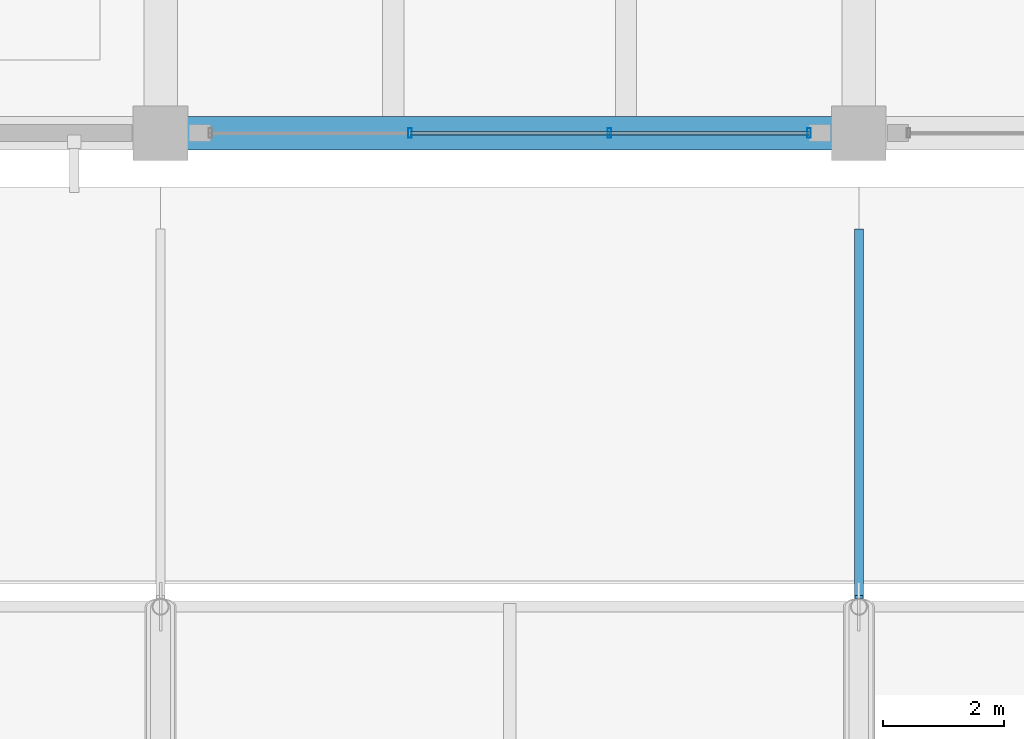
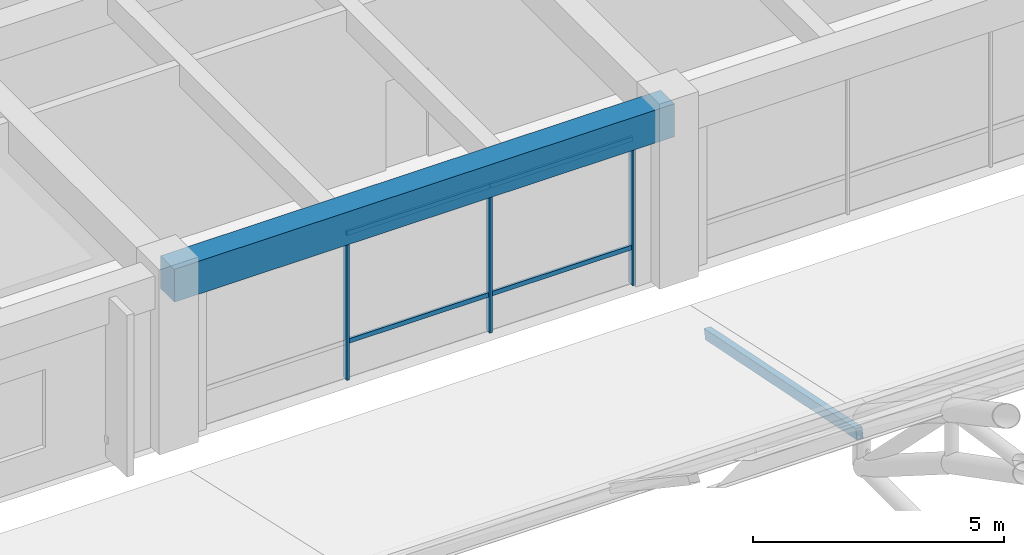
# One storey, part 112 of 154: 8 members, 1 beam, 1 element without a shape of its own.
"""IFC4 building model written with IfcOpenShell, lengths in metres."""

from ifc_helpers import new_model, si_unit, direction, frame, origin, origin_2d, place, context, subcontext, project, spatial, rectangle, hollow_rectangle, extrude, material, material_profile, profile_set, type_object, element, aggregate, save


model = new_model("IFC4")

# Units and contexts
model_context = context("Model", 3, precision=1e-05, world=origin(), true_north=direction((0.0, 1.0)))
body_context = subcontext(model_context, "Body", "Model", "MODEL_VIEW")
ifc_project = project(units=[si_unit("LENGTHUNIT", "METRE"), si_unit("AREAUNIT", "SQUARE_METRE"), si_unit("VOLUMEUNIT", "CUBIC_METRE"), si_unit("PLANEANGLEUNIT", "RADIAN"), si_unit("MASSUNIT", "GRAM", prefix="KILO")], contexts=[model_context])

# Site, building, storey
site_placement = place(None, origin())
site = spatial("IfcSite", under=ifc_project, at=site_placement, CompositionType="ELEMENT")
building_placement = place(site_placement, origin())
building = spatial("IfcBuilding", under=site, at=building_placement, Name="Ologun Quay Terminus", CompositionType="ELEMENT")
storey_placement = place(building_placement, frame((0.0, 0.0, 13.800048828125)))
storey = spatial("IfcBuildingStorey", under=building, at=storey_placement, Name="L03", CompositionType="ELEMENT", Elevation=13.800048828125)

# Curtain wall, members
ifc_material_1 = material(Name="Aluminium 6063-T6", Category="aluminium")
curtain_wall_type = type_object("IfcCurtainWallType", Name="Waterfront Pavilion Harbour Curtain Wall L03 10600x4150", PredefinedType="USERDEFINED", material=ifc_material_1)
curtain_wall_placement = place(storey_placement, origin())
curtain_wall = element("IfcCurtainWall", 1, at=curtain_wall_placement, inside=storey, type_object=curtain_wall_type, Name="CW-25 Curtain Wall CW-L03-138", ObjectType="UNITISED CURTAIN WALL", PredefinedType="USERDEFINED")
ifc_material_2 = material(Name="Aluminium 6063-T6", Category="aluminium")
ifc_material_profile_1 = material_profile(ifc_material_2, hollow_rectangle(XDim=0.06005859375, YDim=0.159912109375, WallThickness=0.00390625, at=origin_2d()), Name="ALU 160x60x4")
ifc_profile_set_1 = profile_set([ifc_material_profile_1], Name="Aluminium 6063-T6")
member_type_1 = type_object("IfcMemberType", Name="Courtyard Screen Mullion 160x65", PredefinedType="MULLION", material=ifc_profile_set_1)
member_1_placement = place(storey_placement, frame((130.606689453125, 85.800048828125, 0.0), z_axis=(0.0, 0.0, 1.0), x_axis=(1.0, 0.0, 0.0)))
member_1 = element("IfcMember", 2, at=member_1_placement, type_object=member_type_1, Name="CW-L03-138 Mullion 2", PredefinedType="MULLION", context=body_context, shape_type="SweptSolid", body=[
    extrude(hollow_rectangle(XDim=0.06005859375, YDim=0.159912109375, WallThickness=0.00390625, at=origin_2d()), origin(), (0.0, 0.0, 1.0), 4.22998046875),
])
member_2_placement = place(storey_placement, frame((133.893310546875, 85.800048828125, 0.0), z_axis=(0.0, 0.0, 1.0), x_axis=(1.0, 0.0, 0.0)))
member_2 = element("IfcMember", 3, at=member_2_placement, type_object=member_type_1, Name="CW-L03-138 Mullion 3", PredefinedType="MULLION", context=body_context, shape_type="SweptSolid", body=[
    extrude(hollow_rectangle(XDim=0.06005859375, YDim=0.159912109375, WallThickness=0.00390625, at=origin_2d()), origin(), (0.0, 0.0, 1.0), 4.22998046875),
])
member_3_placement = place(storey_placement, frame((137.179931640625, 85.800048828125, 0.0), z_axis=(0.0, 0.0, 1.0), x_axis=(1.0, 0.0, 0.0)))
member_3 = element("IfcMember", 4, at=member_3_placement, type_object=member_type_1, Name="CW-L03-138 Mullion 4", PredefinedType="MULLION", context=body_context, shape_type="SweptSolid", body=[
    extrude(hollow_rectangle(XDim=0.06005859375, YDim=0.159912109375, WallThickness=0.00390625, at=origin_2d()), origin(), (0.0, 0.0, 1.0), 4.22998046875),
])
ifc_material_3 = material(Name="Aluminium 6063-T6", Category="aluminium")
ifc_material_profile_2 = material_profile(ifc_material_3, hollow_rectangle(XDim=0.054931640625, YDim=0.110107421875, WallThickness=0.00390625, at=origin_2d()), Name="ALU 110x55x4")
ifc_profile_set_2 = profile_set([ifc_material_profile_2], Name="Aluminium 6063-T6")
member_type_2 = type_object("IfcMemberType", Name="Courtyard Screen Transom 110x55", PredefinedType="USERDEFINED", material=ifc_profile_set_2)
member_4_placement = place(storey_placement, frame((130.606689453125, 85.800048828125, 0.89990234375), z_axis=(1.0, 0.0, 0.0), x_axis=(0.0, 1.0, 0.0)))
member_4 = element("IfcMember", 5, at=member_4_placement, type_object=member_type_2, Name="CW-L03-138 Transom B2-1", ObjectType="TRANSOM", PredefinedType="USERDEFINED", context=body_context, shape_type="SweptSolid", body=[
    extrude(hollow_rectangle(XDim=0.054931640625, YDim=0.110107421875, WallThickness=0.00390625, at=origin_2d()), origin(), (0.0, 0.0, 1.0), 3.28662109375),
])
member_5_placement = place(storey_placement, frame((130.606689453125, 85.800048828125, 3.530029296875), z_axis=(1.0, 0.0, 0.0), x_axis=(0.0, 1.0, 0.0)))
member_5 = element("IfcMember", 6, at=member_5_placement, type_object=member_type_2, Name="CW-L03-138 Transom B2-2", ObjectType="TRANSOM", PredefinedType="USERDEFINED", context=body_context, shape_type="SweptSolid", body=[
    extrude(hollow_rectangle(XDim=0.054931640625, YDim=0.110107421875, WallThickness=0.00390625, at=origin_2d()), origin(), (0.0, 0.0, 1.0), 3.28662109375),
])
member_6_placement = place(storey_placement, frame((133.893310546875, 85.800048828125, 0.89990234375), z_axis=(1.0, 0.0, 0.0), x_axis=(0.0, 1.0, 0.0)))
member_6 = element("IfcMember", 7, at=member_6_placement, type_object=member_type_2, Name="CW-L03-138 Transom B3-1", ObjectType="TRANSOM", PredefinedType="USERDEFINED", context=body_context, shape_type="SweptSolid", body=[
    extrude(hollow_rectangle(XDim=0.054931640625, YDim=0.110107421875, WallThickness=0.00390625, at=origin_2d()), origin(), (0.0, 0.0, 1.0), 3.28662109375),
])
member_7_placement = place(storey_placement, frame((133.893310546875, 85.800048828125, 3.530029296875), z_axis=(1.0, 0.0, 0.0), x_axis=(0.0, 1.0, 0.0)))
member_7 = element("IfcMember", 8, at=member_7_placement, type_object=member_type_2, Name="CW-L03-138 Transom B3-2", ObjectType="TRANSOM", PredefinedType="USERDEFINED", context=body_context, shape_type="SweptSolid", body=[
    extrude(hollow_rectangle(XDim=0.054931640625, YDim=0.110107421875, WallThickness=0.00390625, at=origin_2d()), origin(), (0.0, 0.0, 1.0), 3.28662109375),
])
aggregate(curtain_wall, [member_1, member_2, member_3, member_4, member_5, member_6, member_7])

# Beam
ifc_material_4 = material(Name="Concrete C40/50", Category="concrete")
ifc_material_profile_3 = material_profile(ifc_material_4, rectangle(XDim=0.550048828125, YDim=0.800048828125, at=origin_2d()), Name="RC 550x800")
ifc_profile_set_3 = profile_set([ifc_material_profile_3], Name="Concrete C40/50")
beam_type = type_object("IfcBeamType", Name="Courtyard Wing Primary Girder 550x800", PredefinedType="BEAM", material=ifc_profile_set_3)
beam_placement = place(storey_placement, frame((126.5, 85.800048828125, 3.849853515625), z_axis=(1.0, 0.0, 0.0), x_axis=(0.0, 1.0, 0.0)))
element("IfcBeam", 9, at=beam_placement, inside=storey, type_object=beam_type, Name="B4 Beam 12/G2 L03", PredefinedType="BEAM", context=body_context, shape_type="SweptSolid", body=[
    extrude(rectangle(XDim=0.550048828125, YDim=0.800048828125, at=origin_2d()), origin(), (0.0, 0.0, 1.0), 11.5),
])

# Member
ifc_material_5 = material(Name="Steel S355", Category="steel")
ifc_material_profile_4 = material_profile(ifc_material_5, hollow_rectangle(XDim=0.14990234375, YDim=0.25, WallThickness=0.008056640625, at=origin_2d()), Name="RHS 250x150x8")
ifc_profile_set_4 = profile_set([ifc_material_profile_4], Name="Steel S355")
member_type_3 = type_object("IfcMemberType", Name="Skylight Longitudinal Glazing Bar RHS200", PredefinedType="PURLIN", material=ifc_profile_set_4)
member_8_placement = place(storey_placement, frame((138.0, 84.199951171875, -0.520263671875), z_axis=(0.0, -0.98005285553, 0.19873701308), x_axis=(1.0, 0.0, 0.0)))
element("IfcMember", 10, at=member_8_placement, inside=storey, type_object=member_type_3, Name="SK1 Inclined Roof Rafter L03-NGAL-13", PredefinedType="PURLIN", context=body_context, shape_type="SweptSolid", body=[
    extrude(hollow_rectangle(XDim=0.14990234375, YDim=0.25, WallThickness=0.008056640625, at=origin_2d()), origin(), (0.0, 0.0, 1.0), 6.16064453125),
])

save(model, "model.ifc")
